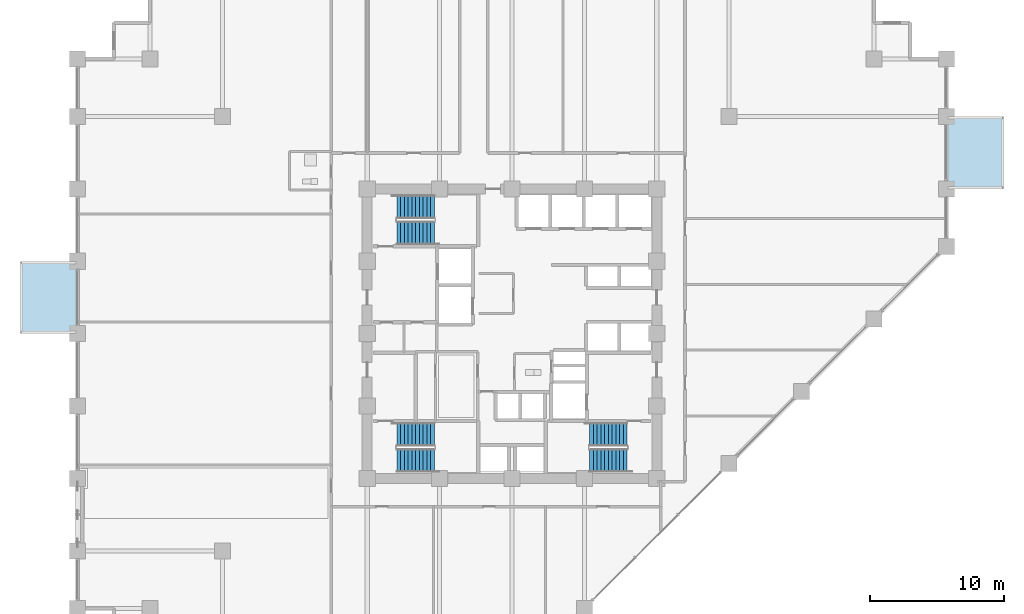
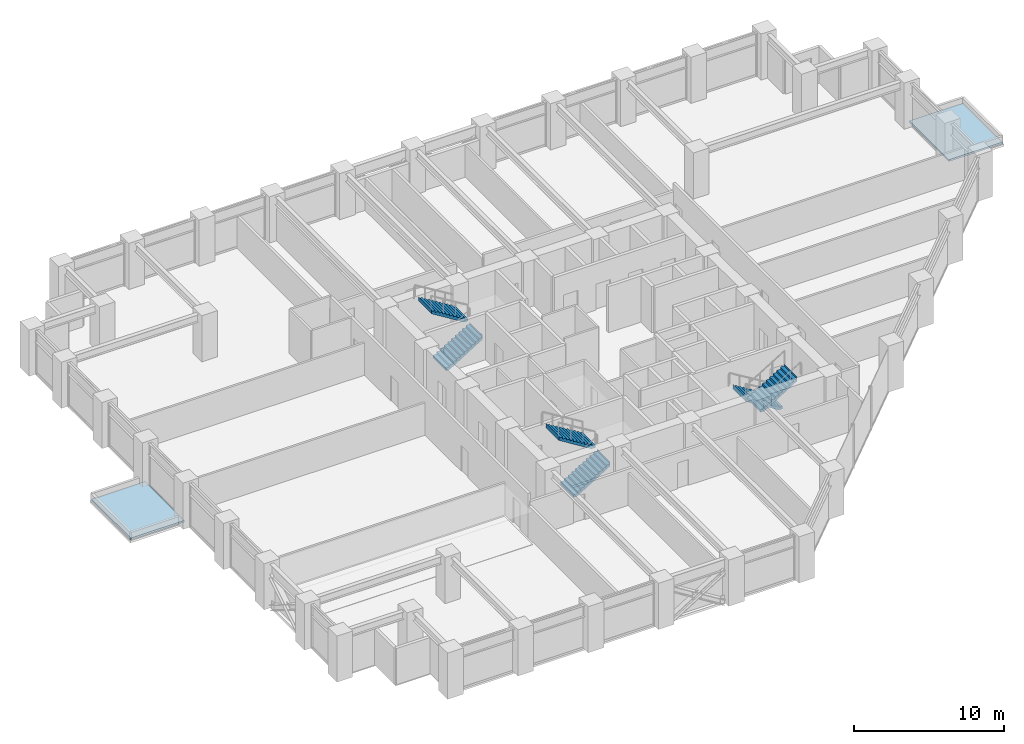
# One storey, part 23 of 26: 6 stair flights, 2 roofs, 3 elements without a shape of their own.
"""IFC4 building model written with IfcOpenShell, lengths in metres."""

from ifc_helpers import new_model, si_unit, direction, frame, origin, place, context, subcontext, project, spatial, polyline, outline, extrude, material, layer, layer_set, type_object, element, aggregate, save


model = new_model("IFC4")

# Units and contexts
model_context = context("Model", 3, precision=1e-05, world=origin(), true_north=direction((0.0, 1.0)))
body_context = subcontext(model_context, "Body", "Model", "MODEL_VIEW")
ifc_project = project(units=[si_unit("LENGTHUNIT", "METRE"), si_unit("AREAUNIT", "SQUARE_METRE"), si_unit("VOLUMEUNIT", "CUBIC_METRE"), si_unit("PLANEANGLEUNIT", "RADIAN"), si_unit("MASSUNIT", "GRAM", prefix="KILO")], contexts=[model_context])

# Site, building, storey
site_placement = place(None, origin())
site = spatial("IfcSite", under=ifc_project, at=site_placement, CompositionType="ELEMENT")
building_placement = place(site_placement, origin())
building = spatial("IfcBuilding", under=site, at=building_placement, Name="Surkhivell Harbour Commons", CompositionType="ELEMENT")
storey_placement = place(building_placement, frame((0.0, 0.0, 71.25)))
storey = spatial("IfcBuildingStorey", under=building, at=storey_placement, Name="L18", CompositionType="ELEMENT", Elevation=71.25)

# Stair, stair flights
ifc_material_1 = material(Name="Precast concrete C45/55", Category="concrete")
stair_type = type_object("IfcStairType", Name="STR-DL-375", PredefinedType="HALF_TURN_STAIR", material=ifc_material_1)
stair_1_placement = place(storey_placement, origin())
stair_1 = element("IfcStair", 1, at=stair_1_placement, inside=storey, type_object=stair_type, Name="L18 Core Exit Stair ST1", PredefinedType="HALF_TURN_STAIR")
stair_flight_type = type_object("IfcStairFlightType", Name="STF-DL-375", PredefinedType="STRAIGHT", material=ifc_material_1)
stair_flight_1_placement = place(storey_placement, frame((-8.590087890625, 7.514892578125, 0.0), z_axis=(0.0, 0.0, 1.0), x_axis=(1.0, 0.0, 0.0)))
stair_flight_1 = element("IfcStairFlight", 2, at=stair_flight_1_placement, type_object=stair_flight_type, Name="ST1 flight 1", NumberOfRisers=11, NumberOfTreads=10, PredefinedType="STRAIGHT", RiserHeight=0.170454545, TreadLength=0.28, context=body_context, shape_type="SweptSolid", body=[
    extrude(outline(polyline([(-0.0029296875, -0.034912109375), (-0.0029296875, 0.0), (0.0, 0.0), (0.0, 0.17041015625), (0.280029296875, 0.17041015625), (0.280029296875, 0.3408203125), (0.56005859375, 0.3408203125), (0.56005859375, 0.511474609375), (0.840087890625, 0.511474609375), (0.840087890625, 0.681884765625), (1.1201171875, 0.681884765625), (1.1201171875, 0.852294921875), (1.39990234375, 0.852294921875), (1.39990234375, 1.022705078125), (1.679931640625, 1.022705078125), (1.679931640625, 1.193115234375), (1.9599609375, 1.193115234375), (1.9599609375, 1.363525390625), (2.239990234375, 1.363525390625), (2.239990234375, 1.5341796875), (2.52001953125, 1.5341796875), (2.52001953125, 1.70458984375), (2.800048828125, 1.70458984375), (2.800048828125, 1.875), (2.802978515625, 1.875), (2.802978515625, 1.529052734375), (0.288330078125, -0.034912109375), (-0.0029296875, -0.034912109375)])), frame((0.0, 0.875, 0.0), z_axis=(0.0, -1.0, 0.0), x_axis=(1.0, 0.0, 0.0)), (0.0, 0.0, 1.0), 1.75),
])
stair_flight_2_placement = place(storey_placement, frame((-5.7900390625, 9.465087890625, 1.875), z_axis=(0.0, 0.0, 1.0), x_axis=(-1.0, 0.0, 0.0)))
stair_flight_2 = element("IfcStairFlight", 3, at=stair_flight_2_placement, type_object=stair_flight_type, Name="ST1 flight 2", NumberOfRisers=11, NumberOfTreads=10, PredefinedType="STRAIGHT", RiserHeight=0.170454545, TreadLength=0.28, context=body_context, shape_type="SweptSolid", body=[
    extrude(outline(polyline([(-0.0029296875, -0.034912109375), (-0.0029296875, 0.0), (0.0, 0.0), (0.0, 0.17041015625), (0.280029296875, 0.17041015625), (0.280029296875, 0.3408203125), (0.56005859375, 0.3408203125), (0.56005859375, 0.511474609375), (0.840087890625, 0.511474609375), (0.840087890625, 0.681884765625), (1.1201171875, 0.681884765625), (1.1201171875, 0.852294921875), (1.39990234375, 0.852294921875), (1.39990234375, 1.022705078125), (1.679931640625, 1.022705078125), (1.679931640625, 1.193115234375), (1.9599609375, 1.193115234375), (1.9599609375, 1.363525390625), (2.239990234375, 1.363525390625), (2.239990234375, 1.5341796875), (2.52001953125, 1.5341796875), (2.52001953125, 1.70458984375), (2.800048828125, 1.70458984375), (2.800048828125, 1.875), (2.802978515625, 1.875), (2.802978515625, 1.529052734375), (0.288330078125, -0.034912109375), (-0.0029296875, -0.034912109375)])), frame((0.0, 0.875, 0.0), z_axis=(0.0, -1.0, 0.0), x_axis=(1.0, 0.0, 0.0)), (0.0, 0.0, 1.0), 1.75),
])
aggregate(stair_1, [stair_flight_1, stair_flight_2])

stair_2_placement = place(storey_placement, origin())
stair_2 = element("IfcStair", 4, at=stair_2_placement, inside=storey, type_object=stair_type, Name="L18 Core Exit Stair ST2", PredefinedType="HALF_TURN_STAIR")
stair_flight_3_placement = place(storey_placement, frame((8.590087890625, -7.514892578125, 0.0), z_axis=(0.0, 0.0, 1.0), x_axis=(-1.0, 0.0, 0.0)))
stair_flight_3 = element("IfcStairFlight", 5, at=stair_flight_3_placement, type_object=stair_flight_type, Name="ST2 flight 1", NumberOfRisers=11, NumberOfTreads=10, PredefinedType="STRAIGHT", RiserHeight=0.170454545, TreadLength=0.28, context=body_context, shape_type="SweptSolid", body=[
    extrude(outline(polyline([(-0.0029296875, -0.034912109375), (-0.0029296875, 0.0), (0.0, 0.0), (0.0, 0.17041015625), (0.280029296875, 0.17041015625), (0.280029296875, 0.3408203125), (0.56005859375, 0.3408203125), (0.56005859375, 0.511474609375), (0.840087890625, 0.511474609375), (0.840087890625, 0.681884765625), (1.1201171875, 0.681884765625), (1.1201171875, 0.852294921875), (1.39990234375, 0.852294921875), (1.39990234375, 1.022705078125), (1.679931640625, 1.022705078125), (1.679931640625, 1.193115234375), (1.9599609375, 1.193115234375), (1.9599609375, 1.363525390625), (2.239990234375, 1.363525390625), (2.239990234375, 1.5341796875), (2.52001953125, 1.5341796875), (2.52001953125, 1.70458984375), (2.800048828125, 1.70458984375), (2.800048828125, 1.875), (2.802978515625, 1.875), (2.802978515625, 1.529052734375), (0.288330078125, -0.034912109375), (-0.0029296875, -0.034912109375)])), frame((0.0, 0.875, 0.0), z_axis=(0.0, -1.0, 0.0), x_axis=(1.0, 0.0, 0.0)), (0.0, 0.0, 1.0), 1.75),
])
stair_flight_4_placement = place(storey_placement, frame((5.7900390625, -9.465087890625, 1.875), z_axis=(0.0, 0.0, 1.0), x_axis=(1.0, 0.0, 0.0)))
stair_flight_4 = element("IfcStairFlight", 6, at=stair_flight_4_placement, type_object=stair_flight_type, Name="ST2 flight 2", NumberOfRisers=11, NumberOfTreads=10, PredefinedType="STRAIGHT", RiserHeight=0.170454545, TreadLength=0.28, context=body_context, shape_type="SweptSolid", body=[
    extrude(outline(polyline([(-0.0029296875, -0.034912109375), (-0.0029296875, 0.0), (0.0, 0.0), (0.0, 0.17041015625), (0.280029296875, 0.17041015625), (0.280029296875, 0.3408203125), (0.56005859375, 0.3408203125), (0.56005859375, 0.511474609375), (0.840087890625, 0.511474609375), (0.840087890625, 0.681884765625), (1.1201171875, 0.681884765625), (1.1201171875, 0.852294921875), (1.39990234375, 0.852294921875), (1.39990234375, 1.022705078125), (1.679931640625, 1.022705078125), (1.679931640625, 1.193115234375), (1.9599609375, 1.193115234375), (1.9599609375, 1.363525390625), (2.239990234375, 1.363525390625), (2.239990234375, 1.5341796875), (2.52001953125, 1.5341796875), (2.52001953125, 1.70458984375), (2.800048828125, 1.70458984375), (2.800048828125, 1.875), (2.802978515625, 1.875), (2.802978515625, 1.529052734375), (0.288330078125, -0.034912109375), (-0.0029296875, -0.034912109375)])), frame((0.0, 0.875, 0.0), z_axis=(0.0, -1.0, 0.0), x_axis=(1.0, 0.0, 0.0)), (0.0, 0.0, 1.0), 1.75),
])
aggregate(stair_2, [stair_flight_3, stair_flight_4])

stair_3_placement = place(storey_placement, origin())
stair_3 = element("IfcStair", 7, at=stair_3_placement, inside=storey, type_object=stair_type, Name="L18 Core Exit Stair ST3", PredefinedType="HALF_TURN_STAIR")
stair_flight_5_placement = place(storey_placement, frame((-8.590087890625, -9.465087890625, 0.0), z_axis=(0.0, 0.0, 1.0), x_axis=(1.0, 0.0, 0.0)))
stair_flight_5 = element("IfcStairFlight", 8, at=stair_flight_5_placement, type_object=stair_flight_type, Name="ST3 flight 1", NumberOfRisers=11, NumberOfTreads=10, PredefinedType="STRAIGHT", RiserHeight=0.170454545, TreadLength=0.28, context=body_context, shape_type="SweptSolid", body=[
    extrude(outline(polyline([(-0.0029296875, -0.034912109375), (-0.0029296875, 0.0), (0.0, 0.0), (0.0, 0.17041015625), (0.280029296875, 0.17041015625), (0.280029296875, 0.3408203125), (0.56005859375, 0.3408203125), (0.56005859375, 0.511474609375), (0.840087890625, 0.511474609375), (0.840087890625, 0.681884765625), (1.1201171875, 0.681884765625), (1.1201171875, 0.852294921875), (1.39990234375, 0.852294921875), (1.39990234375, 1.022705078125), (1.679931640625, 1.022705078125), (1.679931640625, 1.193115234375), (1.9599609375, 1.193115234375), (1.9599609375, 1.363525390625), (2.239990234375, 1.363525390625), (2.239990234375, 1.5341796875), (2.52001953125, 1.5341796875), (2.52001953125, 1.70458984375), (2.800048828125, 1.70458984375), (2.800048828125, 1.875), (2.802978515625, 1.875), (2.802978515625, 1.529052734375), (0.288330078125, -0.034912109375), (-0.0029296875, -0.034912109375)])), frame((0.0, 0.875, 0.0), z_axis=(0.0, -1.0, 0.0), x_axis=(1.0, 0.0, 0.0)), (0.0, 0.0, 1.0), 1.75),
])
stair_flight_6_placement = place(storey_placement, frame((-5.7900390625, -7.514892578125, 1.875), z_axis=(0.0, 0.0, 1.0), x_axis=(-1.0, 0.0, 0.0)))
stair_flight_6 = element("IfcStairFlight", 9, at=stair_flight_6_placement, type_object=stair_flight_type, Name="ST3 flight 2", NumberOfRisers=11, NumberOfTreads=10, PredefinedType="STRAIGHT", RiserHeight=0.170454545, TreadLength=0.28, context=body_context, shape_type="SweptSolid", body=[
    extrude(outline(polyline([(-0.0029296875, -0.034912109375), (-0.0029296875, 0.0), (0.0, 0.0), (0.0, 0.17041015625), (0.280029296875, 0.17041015625), (0.280029296875, 0.3408203125), (0.56005859375, 0.3408203125), (0.56005859375, 0.511474609375), (0.840087890625, 0.511474609375), (0.840087890625, 0.681884765625), (1.1201171875, 0.681884765625), (1.1201171875, 0.852294921875), (1.39990234375, 0.852294921875), (1.39990234375, 1.022705078125), (1.679931640625, 1.022705078125), (1.679931640625, 1.193115234375), (1.9599609375, 1.193115234375), (1.9599609375, 1.363525390625), (2.239990234375, 1.363525390625), (2.239990234375, 1.5341796875), (2.52001953125, 1.5341796875), (2.52001953125, 1.70458984375), (2.800048828125, 1.70458984375), (2.800048828125, 1.875), (2.802978515625, 1.875), (2.802978515625, 1.529052734375), (0.288330078125, -0.034912109375), (-0.0029296875, -0.034912109375)])), frame((0.0, 0.875, 0.0), z_axis=(0.0, -1.0, 0.0), x_axis=(1.0, 0.0, 0.0)), (0.0, 0.0, 1.0), 1.75),
])
aggregate(stair_3, [stair_flight_5, stair_flight_6])

# Roofs
ifc_material_2 = material(Name="Vermilion-coral and saffron enamelled aluminium box roof cap", Category="aluminium")
ifc_layer = layer(ifc_material_2, 0.139892578125)
ifc_layer_set = layer_set([ifc_layer], Name="Vermilion-coral and saffron enamelled aluminium box roof cap")
roof_type = type_object("IfcRoofType", Name="ROF-BOX-CAP", PredefinedType="FLAT_ROOF", material=ifc_layer_set)
roof_1_placement = place(storey_placement, origin())
element("IfcRoof", 10, at=roof_1_placement, inside=storey, type_object=roof_type, Name="L18 Closed Coloured Box Roof Cap 1-1", PredefinedType="FLAT_ROOF", context=body_context, shape_type="SweptSolid", body=[
    extrude(outline(polyline([(32.5, 16.1201171875), (32.5, 10.8798828125), (36.6201171875, 10.8798828125), (36.6201171875, 16.1201171875), (32.5, 16.1201171875)])), origin(), (0.0, 0.0, 1.0), 0.139892578125),
])
roof_2_placement = place(storey_placement, origin())
element("IfcRoof", 11, at=roof_2_placement, inside=storey, type_object=roof_type, Name="L18 Closed Coloured Box Roof Cap 2-1", PredefinedType="FLAT_ROOF", context=body_context, shape_type="SweptSolid", body=[
    extrude(outline(polyline([(-32.5, 0.080078125), (-32.5, 5.320068359375), (-36.6201171875, 5.320068359375), (-36.6201171875, 0.080078125), (-32.5, 0.080078125)])), origin(), (0.0, 0.0, 1.0), 0.139892578125),
])

save(model, "model.ifc")
